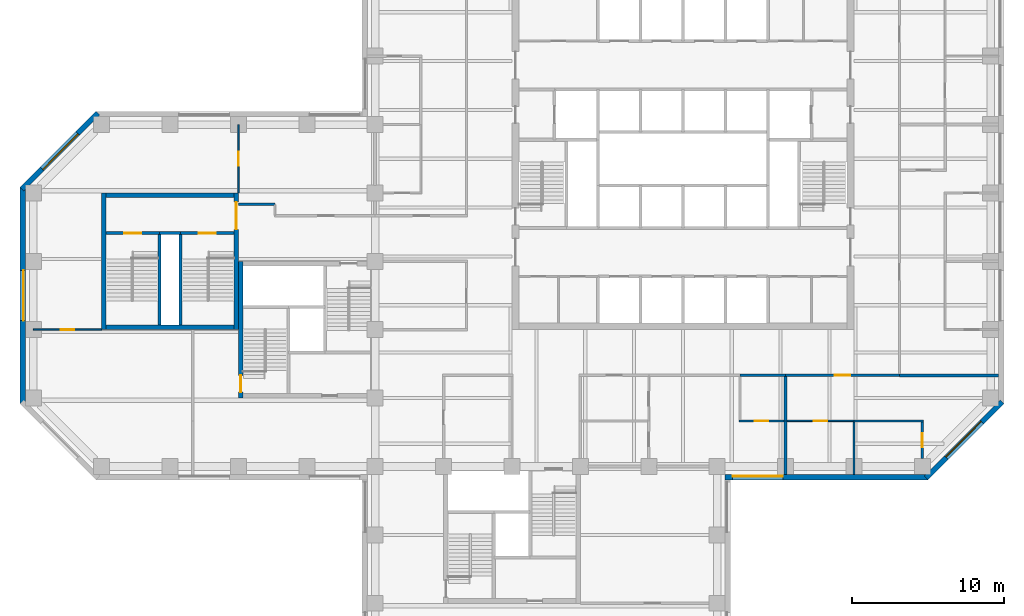
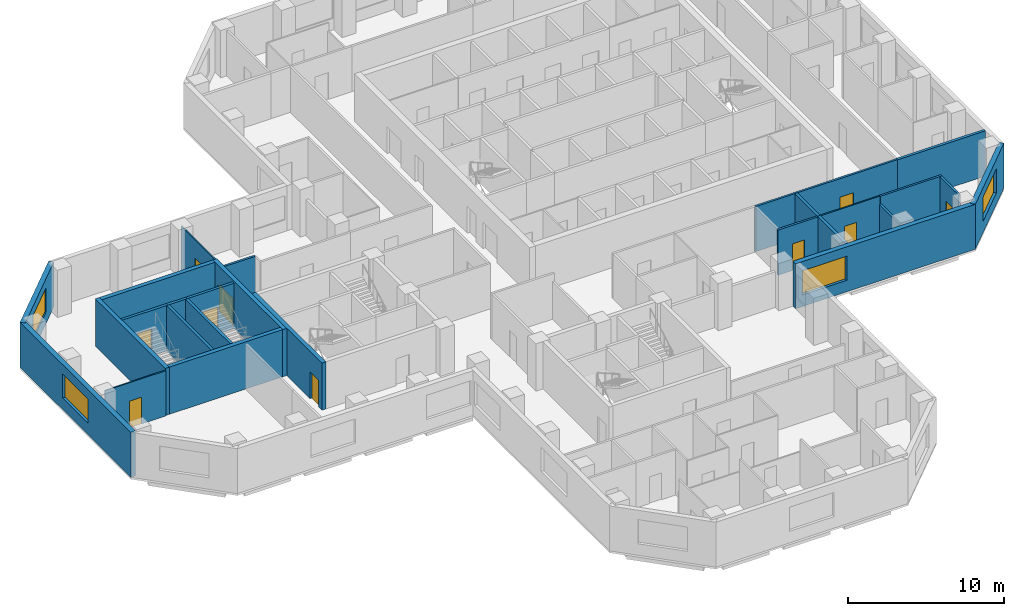
# One storey, part 5 of 11: 27 walls, 10 doors, 4 windows, 14 openings.
"""IFC4 building model written with IfcOpenShell, lengths in metres."""

from ifc_helpers import new_model, si_unit, direction, frame, frame_2d, origin, place, context, subcontext, project, spatial, rectangle, extrude, material, layer, layer_set, constituent, constituent_set, type_object, element, fill, save


model = new_model("IFC4")

# Units and contexts
model_context = context("Model", 3, precision=1e-05, world=origin(), true_north=direction((0.0, 1.0)))
body_context = subcontext(model_context, "Body", "Model", "MODEL_VIEW")
ifc_project = project(units=[si_unit("LENGTHUNIT", "METRE"), si_unit("AREAUNIT", "SQUARE_METRE"), si_unit("VOLUMEUNIT", "CUBIC_METRE"), si_unit("PLANEANGLEUNIT", "RADIAN"), si_unit("MASSUNIT", "GRAM", prefix="KILO")], contexts=[model_context])

# Site, building, storey
site_placement = place(None, origin())
site = spatial("IfcSite", under=ifc_project, at=site_placement, CompositionType="ELEMENT")
building_placement = place(site_placement, origin())
building = spatial("IfcBuilding", under=site, at=building_placement, Name="Quoin Convention Tower", CompositionType="ELEMENT")
storey_placement = place(building_placement, frame((0.0, 0.0, 134.39990234375)))
storey = spatial("IfcBuildingStorey", under=building, at=storey_placement, Name="L35", CompositionType="ELEMENT", Elevation=134.39990234375)

# Wall
ifc_material_1 = material(Name="Plasterboard")
ifc_layer_1 = layer(ifc_material_1, 0.012451171875, Name="Finish")
ifc_material_2 = material(Name="Steel stud framing", Category="steel")
ifc_layer_2 = layer(ifc_material_2, 0.125, Name="Structure")
ifc_layer_3 = layer(ifc_material_1, 0.012451171875, Name="Finish")
ifc_layer_set_1 = layer_set([ifc_layer_1, ifc_layer_2, ifc_layer_3], Name="Steel stud framing")
wall_type_1 = type_object("IfcWallType", Name="Acoustic partition 150", PredefinedType="PARTITIONING", material=ifc_layer_set_1)
wall_1_placement = place(storey_placement, frame((67.5, 43.5, 0.0), z_axis=(0.0, 0.0, 1.0), x_axis=(1.0, 0.0, 0.0)))
element("IfcWall", 1, at=wall_1_placement, inside=storey, type_object=wall_type_1, Name="pw-L35-022", PredefinedType="PARTITIONING", context=body_context, shape_type="SweptSolid", body=[
    extrude(rectangle(XDim=4.574951171875, YDim=0.14990234375, at=frame_2d((2.28759765625, 0.0))), origin(), (0.0, 0.0, 1.0), 3.550048828125),
])

# Wall, opening, door
wall_2_placement = place(storey_placement, frame((72.0, 41.02490234375, 0.0), z_axis=(0.0, 0.0, 1.0), x_axis=(0.0, 1.0, 0.0)))
wall_2 = element("IfcWall", 2, at=wall_2_placement, inside=storey, type_object=wall_type_1, Name="pw-L35-077", PredefinedType="PARTITIONING", context=body_context, shape_type="SweptSolid", body=[
    extrude(rectangle(XDim=2.400146484375, YDim=0.14990234375, at=frame_2d((1.2001953125, 0.0))), origin(), (0.0, 0.0, 1.0), 3.550048828125),
])
opening_1_placement = place(wall_2_placement, frame((0.75, 0.0, 0.0)))
opening_1 = element("IfcOpeningElement", 3, at=opening_1_placement, cuts=wall_2, Name="Opening DOL7-29", PredefinedType="OPENING", context=body_context, shape_type="SweptSolid", body=[
    extrude(rectangle(XDim=0.89990234375, YDim=2.10009765625, at=frame_2d((0.449951171875, 1.050048828125))), frame((0.0, 0.0849609375, 0.0), z_axis=(0.0, -1.0, 0.0), x_axis=(1.0, 0.0, 0.0)), (0.0, 0.0, 1.0), 0.169921875),
])
ifc_material_3 = material(Name="Steel door leaf", Category="steel")
door_type_1 = type_object("IfcDoorType", Name="Office door 900 x 2100", OperationType="SINGLE_SWING_RIGHT", PredefinedType="DOOR", material=ifc_material_3)
door_1_placement = place(opening_1_placement, frame((0.89990234375, 0.0, 0.0), z_axis=(0.0, 0.0, 1.0), x_axis=(-1.0, 0.0, 0.0)))
door_1 = element("IfcDoor", 4, at=door_1_placement, inside=storey, type_object=door_type_1, Name="dr-L35-24", OperationType="SINGLE_SWING_LEFT", OverallHeight=2.10009765625, OverallWidth=0.89990234375, PredefinedType="DOOR", context=body_context, shape_type="SweptSolid", body=[
    extrude(rectangle(XDim=0.89990234375, YDim=2.10009765625, at=frame_2d((0.449951171875, 1.050048828125))), frame((0.0, 0.02490234375, 0.0), z_axis=(0.0, -1.0, 0.0), x_axis=(1.0, 0.0, 0.0)), (0.0, 0.0, 1.0), 0.050048828125),
])
fill(opening_1, door_1)

# Wall
ifc_layer_4 = layer(ifc_material_1, 0.012451171875, Name="Finish")
ifc_layer_5 = layer(ifc_material_2, 0.125, Name="Structure")
ifc_layer_6 = layer(ifc_material_1, 0.012451171875, Name="Finish")
ifc_layer_set_2 = layer_set([ifc_layer_4, ifc_layer_5, ifc_layer_6], Name="Steel stud framing")
wall_type_2 = type_object("IfcWallType", Name="Acoustic partition 150 under beam 612", PredefinedType="PARTITIONING", material=ifc_layer_set_2)
wall_3_placement = place(storey_placement, frame((67.5, 39.97509765625, 0.0), z_axis=(0.0, 0.0, 1.0), x_axis=(0.0, 1.0, 0.0)))
element("IfcWall", 5, at=wall_3_placement, inside=storey, type_object=wall_type_2, Name="pw-L35-072", PredefinedType="PARTITIONING", context=body_context, shape_type="SweptSolid", body=[
    extrude(rectangle(XDim=3.449951171875, YDim=0.14990234375, at=frame_2d((1.72509765625, 0.0))), origin(), (0.0, 0.0, 1.0), 2.93798828125),
])

# Wall, opening, window
ifc_material_4 = material(Name="Brick masonry", Category="masonry")
ifc_layer_7 = layer(ifc_material_4, 0.35009765625)
ifc_layer_set_3 = layer_set([ifc_layer_7], Name="Brick masonry")
wall_type_3 = type_object("IfcWallType", Name="Brick facade wall", PredefinedType="STANDARD", material=ifc_layer_set_3)
wall_4_placement = place(storey_placement, frame((59.02490234375, 39.800048828125, 0.0), z_axis=(0.0, 0.0, 1.0), x_axis=(1.0, 0.0, 0.0)))
wall_4 = element("IfcWall", 6, at=wall_4_placement, inside=storey, type_object=wall_type_3, Name="fw-L35-58500_40500", PredefinedType="STANDARD", context=body_context, shape_type="SweptSolid", body=[
    extrude(rectangle(XDim=13.33740234375, YDim=0.35009765625, at=frame_2d((6.668701171875, 0.0))), origin(), (0.0, 0.0, 1.0), 3.525146484375),
])
opening_2_placement = place(wall_4_placement, frame((0.5, 0.0, 0.89990234375)))
opening_2 = element("IfcOpeningElement", 7, at=opening_2_placement, cuts=wall_4, Name="Opening W-02", PredefinedType="OPENING", context=body_context, shape_type="SweptSolid", body=[
    extrude(rectangle(XDim=3.300048828125, YDim=1.89990234375, at=frame_2d((1.64990234375, 0.949951171875))), frame((0.0, 0.18505859375, 0.0), z_axis=(0.0, -1.0, 0.0), x_axis=(1.0, 0.0, 0.0)), (0.0, 0.0, 1.0), 0.3701171875),
])
ifc_material_5 = material(Name="Aluminium", Category="aluminium")
ifc_constituent_1 = constituent(ifc_material_5, Name="Frame")
ifc_material_6 = material(Name="Insulated glass", Category="glass")
ifc_constituent_2 = constituent(ifc_material_6, Name="Glazing")
ifc_constituent_set = constituent_set(constituents=[ifc_constituent_1, ifc_constituent_2], Name="Aluminium")
window_type = type_object("IfcWindowType", Name="Office window", PartitioningType="DOUBLE_PANEL_VERTICAL", PredefinedType="WINDOW", material=ifc_constituent_set)
window_1_placement = place(opening_2_placement, origin())
window_1 = element("IfcWindow", 8, at=window_1_placement, inside=storey, type_object=window_type, Name="win-L35-60750_39800", OverallHeight=1.89990234375, OverallWidth=3.300048828125, PartitioningType="SINGLE_PANEL", PredefinedType="WINDOW", context=body_context, shape_type="SweptSolid", body=[
    extrude(rectangle(XDim=3.300048828125, YDim=1.89990234375, at=frame_2d((1.64990234375, 0.949951171875))), frame((0.0, 0.0849609375, 0.0), z_axis=(0.0, -1.0, 0.0), x_axis=(1.0, 0.0, 0.0)), (0.0, 0.0, 1.0), 0.06005859375),
])
fill(opening_2, window_1)

wall_5_placement = place(storey_placement, frame((72.23876953125, 39.748779296875, 0.0), z_axis=(0.0, 0.0, 1.0), x_axis=(0.707106781187, 0.707106781187, 0.0)))
wall_5 = element("IfcWall", 9, at=wall_5_placement, inside=storey, type_object=wall_type_3, Name="fw-L35-72000_40500", PredefinedType="STANDARD", context=body_context, shape_type="SweptSolid", body=[
    extrude(rectangle(XDim=7.088623046875, YDim=0.35009765625, at=frame_2d((3.54443359375, 0.0))), origin(), (0.0, 0.0, 1.0), 3.525146484375),
])
opening_3_placement = place(wall_5_placement, frame((1.894287109375, 0.0, 0.89990234375)))
opening_3 = element("IfcOpeningElement", 10, at=opening_3_placement, cuts=wall_5, Name="Opening W-02", PredefinedType="OPENING", context=body_context, shape_type="SweptSolid", body=[
    extrude(rectangle(XDim=3.300048828125, YDim=1.89990234375, at=frame_2d((1.64990234375, 0.949951171875))), frame((0.0, 0.18505859375, 0.0), z_axis=(0.0, -1.0, 0.0), x_axis=(1.0, 0.0, 0.0)), (0.0, 0.0, 1.0), 0.3701171875),
])
window_2_placement = place(opening_3_placement, origin())
window_2 = element("IfcWindow", 11, at=window_2_placement, inside=storey, type_object=window_type, Name="win-L35-74745_42255", OverallHeight=1.89990234375, OverallWidth=3.300048828125, PartitioningType="SINGLE_PANEL", PredefinedType="WINDOW", context=body_context, shape_type="SweptSolid", body=[
    extrude(rectangle(XDim=3.300048828125, YDim=1.89990234375, at=frame_2d((1.64990234375, 0.949951171875))), frame((0.0, 0.0849609375, 0.0), z_axis=(0.0, -1.0, 0.0), x_axis=(1.0, 0.0, 0.0)), (0.0, 0.0, 1.0), 0.06005859375),
])
fill(opening_3, window_2)

wall_6_placement = place(storey_placement, frame((17.76123046875, 63.751220703125, 0.0), z_axis=(0.0, 0.0, 1.0), x_axis=(-0.707106781187, -0.707106781187, 0.0)))
wall_6 = element("IfcWall", 12, at=wall_6_placement, inside=storey, type_object=wall_type_3, Name="fw-L35-18000_63000", PredefinedType="STANDARD", context=body_context, shape_type="SweptSolid", body=[
    extrude(rectangle(XDim=7.088623046875, YDim=0.35009765625, at=frame_2d((3.54443359375, 0.0))), origin(), (0.0, 0.0, 1.0), 3.525146484375),
])
opening_4_placement = place(wall_6_placement, frame((1.894287109375, 0.0, 0.89990234375)))
opening_4 = element("IfcOpeningElement", 13, at=opening_4_placement, cuts=wall_6, Name="Opening W-02", PredefinedType="OPENING", context=body_context, shape_type="SweptSolid", body=[
    extrude(rectangle(XDim=3.300048828125, YDim=1.89990234375, at=frame_2d((1.64990234375, 0.949951171875))), frame((0.0, 0.18505859375, 0.0), z_axis=(0.0, -1.0, 0.0), x_axis=(1.0, 0.0, 0.0)), (0.0, 0.0, 1.0), 0.3701171875),
])
window_3_placement = place(opening_4_placement, origin())
window_3 = element("IfcWindow", 14, at=window_3_placement, inside=storey, type_object=window_type, Name="win-L35-15255_61245", OverallHeight=1.89990234375, OverallWidth=3.300048828125, PartitioningType="SINGLE_PANEL", PredefinedType="WINDOW", context=body_context, shape_type="SweptSolid", body=[
    extrude(rectangle(XDim=3.300048828125, YDim=1.89990234375, at=frame_2d((1.64990234375, 0.949951171875))), frame((0.0, 0.0849609375, 0.0), z_axis=(0.0, -1.0, 0.0), x_axis=(1.0, 0.0, 0.0)), (0.0, 0.0, 1.0), 0.06005859375),
])
fill(opening_4, window_3)

wall_7_placement = place(storey_placement, frame((12.800048828125, 58.8623046875, 0.0), z_axis=(0.0, 0.0, 1.0), x_axis=(0.0, -1.0, 0.0)))
wall_7 = element("IfcWall", 15, at=wall_7_placement, inside=storey, type_object=wall_type_3, Name="fw-L35-13500_58500", PredefinedType="STANDARD", context=body_context, shape_type="SweptSolid", body=[
    extrude(rectangle(XDim=14.224609375, YDim=0.35009765625, at=frame_2d((7.1123046875, 0.0))), origin(), (0.0, 0.0, 1.0), 3.525146484375),
])
opening_5_placement = place(wall_7_placement, frame((5.46240234375, 0.0, 0.89990234375)))
opening_5 = element("IfcOpeningElement", 16, at=opening_5_placement, cuts=wall_7, Name="Opening W-02", PredefinedType="OPENING", context=body_context, shape_type="SweptSolid", body=[
    extrude(rectangle(XDim=3.300048828125, YDim=1.89990234375, at=frame_2d((1.64990234375, 0.949951171875))), frame((0.0, 0.18505859375, 0.0), z_axis=(0.0, -1.0, 0.0), x_axis=(1.0, 0.0, 0.0)), (0.0, 0.0, 1.0), 0.3701171875),
])
window_4_placement = place(opening_5_placement, origin())
window_4 = element("IfcWindow", 17, at=window_4_placement, inside=storey, type_object=window_type, Name="win-L35-12800_51750", OverallHeight=1.89990234375, OverallWidth=3.300048828125, PartitioningType="SINGLE_PANEL", PredefinedType="WINDOW", context=body_context, shape_type="SweptSolid", body=[
    extrude(rectangle(XDim=3.300048828125, YDim=1.89990234375, at=frame_2d((1.64990234375, 0.949951171875))), frame((0.0, 0.0849609375, 0.0), z_axis=(0.0, -1.0, 0.0), x_axis=(1.0, 0.0, 0.0)), (0.0, 0.0, 1.0), 0.06005859375),
])
fill(opening_5, window_4)

# Wall
ifc_material_7 = material(Name="Concrete C50", Category="concrete")
ifc_layer_8 = layer(ifc_material_7, 0.199951171875)
ifc_layer_set_4 = layer_set([ifc_layer_8], Name="Concrete C50")
wall_type_4 = type_object("IfcWallType", Name="Core shaft wall", PredefinedType="SOLIDWALL", material=ifc_layer_set_4)
wall_8_placement = place(storey_placement, frame((21.800048828125, 55.85009765625, 0.0), z_axis=(0.0, 0.0, 1.0), x_axis=(1.0, 0.0, 0.0)))
element("IfcWall", 18, at=wall_8_placement, inside=storey, type_object=wall_type_4, Name="cr-P6-L35-h6350_3800", PredefinedType="SOLIDWALL", context=body_context, shape_type="SweptSolid", body=[
    extrude(rectangle(XDim=1.39990234375, YDim=0.199951171875, at=frame_2d((0.699951171875, 0.0))), origin(), (0.0, 0.0, 1.0), 3.550048828125),
])

# Wall, opening, door
wall_9_placement = place(storey_placement, frame((18.300048828125, 55.85009765625, 0.0), z_axis=(0.0, 0.0, 1.0), x_axis=(1.0, 0.0, 0.0)))
wall_9 = element("IfcWall", 19, at=wall_9_placement, inside=storey, type_object=wall_type_4, Name="cr-P6-L35-h6350_300", PredefinedType="SOLIDWALL", context=body_context, shape_type="SweptSolid", body=[
    extrude(rectangle(XDim=3.5, YDim=0.199951171875, at=frame_2d((1.75, 0.0))), origin(), (0.0, 0.0, 1.0), 3.550048828125),
])
opening_6_placement = place(wall_9_placement, frame((1.199951171875, 0.0, 0.0)))
opening_6 = element("IfcOpeningElement", 20, at=opening_6_placement, cuts=wall_9, Name="Opening SD11", PredefinedType="OPENING", context=body_context, shape_type="SweptSolid", body=[
    extrude(rectangle(XDim=1.10009765625, YDim=2.10009765625, at=frame_2d((0.550048828125, 1.050048828125))), frame((0.0, 0.10986328125, 0.0), z_axis=(0.0, -1.0, 0.0), x_axis=(1.0, 0.0, 0.0)), (0.0, 0.0, 1.0), 0.219970703125),
])
door_type_2 = type_object("IfcDoorType", Name="Stair door 1100 x 2100", OperationType="SINGLE_SWING_RIGHT", PredefinedType="DOOR", material=ifc_material_3)
door_2_placement = place(opening_6_placement, origin())
door_2 = element("IfcDoor", 21, at=door_2_placement, inside=storey, type_object=door_type_2, Name="cd-P6-L35-SA-R2-SD11", OperationType="SINGLE_SWING_RIGHT", OverallHeight=2.10009765625, OverallWidth=1.10009765625, PredefinedType="DOOR", context=body_context, shape_type="SweptSolid", body=[
    extrude(rectangle(XDim=1.10009765625, YDim=2.10009765625, at=frame_2d((0.550048828125, 1.050048828125))), frame((0.0, 0.02490234375, 0.0), z_axis=(0.0, -1.0, 0.0), x_axis=(1.0, 0.0, 0.0)), (0.0, 0.0, 1.0), 0.050048828125),
])
fill(opening_6, door_2)

wall_10_placement = place(storey_placement, frame((23.199951171875, 55.85009765625, 0.0), z_axis=(0.0, 0.0, 1.0), x_axis=(1.0, 0.0, 0.0)))
wall_10 = element("IfcWall", 22, at=wall_10_placement, inside=storey, type_object=wall_type_4, Name="cr-P6-L35-h6350_5200", PredefinedType="SOLIDWALL", context=body_context, shape_type="SweptSolid", body=[
    extrude(rectangle(XDim=3.5, YDim=0.199951171875, at=frame_2d((1.75, 0.0))), origin(), (0.0, 0.0, 1.0), 3.550048828125),
])
opening_7_placement = place(wall_10_placement, frame((1.199951171875, 0.0, 0.0)))
opening_7 = element("IfcOpeningElement", 23, at=opening_7_placement, cuts=wall_10, Name="Opening SD12", PredefinedType="OPENING", context=body_context, shape_type="SweptSolid", body=[
    extrude(rectangle(XDim=1.10009765625, YDim=2.10009765625, at=frame_2d((0.550048828125, 1.050048828125))), frame((0.0, 0.10986328125, 0.0), z_axis=(0.0, -1.0, 0.0), x_axis=(1.0, 0.0, 0.0)), (0.0, 0.0, 1.0), 0.219970703125),
])
door_3_placement = place(opening_7_placement, origin())
door_3 = element("IfcDoor", 24, at=door_3_placement, inside=storey, type_object=door_type_2, Name="cd-P6-L35-SB-R2-SD12", OperationType="SINGLE_SWING_RIGHT", OverallHeight=2.10009765625, OverallWidth=1.10009765625, PredefinedType="DOOR", context=body_context, shape_type="SweptSolid", body=[
    extrude(rectangle(XDim=1.10009765625, YDim=2.10009765625, at=frame_2d((0.550048828125, 1.050048828125))), frame((0.0, 0.02490234375, 0.0), z_axis=(0.0, -1.0, 0.0), x_axis=(1.0, 0.0, 0.0)), (0.0, 0.0, 1.0), 0.050048828125),
])
fill(opening_7, door_3)

# Walls
for number, where, z_axis, x_axis, name in (
    (25, (21.800048828125, 49.800048828125, 0.0), (0.0, 0.0, 1.0), (0.0, 1.0, 0.0), "cr-P6-L35-v3800_300"),
    (26, (23.199951171875, 49.800048828125, 0.0), (0.0, 0.0, 1.0), (0.0, 1.0, 0.0), "cr-P6-L35-v5200_300"),
):
    element("IfcWall", number, at=place(storey_placement, frame(where, z_axis=z_axis, x_axis=x_axis)), inside=storey, type_object=wall_type_4, Name=name, PredefinedType="SOLIDWALL", context=body_context, shape_type="SweptSolid", body=[
        extrude(rectangle(XDim=6.050048828125, YDim=0.199951171875, at=frame_2d((3.02490234375, 0.0))), origin(), (0.0, 0.0, 1.0), 3.550048828125),
    ])
ifc_layer_9 = layer(ifc_material_1, 0.012451171875, Name="Finish")
ifc_layer_10 = layer(ifc_material_2, 0.125, Name="Structure")
ifc_layer_11 = layer(ifc_material_1, 0.012451171875, Name="Finish")
ifc_layer_set_5 = layer_set([ifc_layer_9, ifc_layer_10, ifc_layer_11], Name="Steel stud framing")
wall_type_5 = type_object("IfcWallType", Name="Corridor wall 150", PredefinedType="PARTITIONING", material=ifc_layer_set_5)
wall_11_placement = place(storey_placement, frame((60.0, 46.5, 0.0), z_axis=(0.0, 0.0, 1.0), x_axis=(1.0, 0.0, 0.0)))
element("IfcWall", 27, at=wall_11_placement, inside=storey, type_object=wall_type_5, Name="pw-L35-026", PredefinedType="PARTITIONING", context=body_context, shape_type="SweptSolid", body=[
    extrude(rectangle(XDim=3.0, YDim=0.14990234375, at=frame_2d((1.5, 0.0))), origin(), (0.0, 0.0, 1.0), 3.550048828125),
])

# Wall, opening, door
wall_12_placement = place(storey_placement, frame((63.0, 46.5, 0.0), z_axis=(0.0, 0.0, 1.0), x_axis=(1.0, 0.0, 0.0)))
wall_12 = element("IfcWall", 28, at=wall_12_placement, inside=storey, type_object=wall_type_5, Name="pw-L35-027", PredefinedType="PARTITIONING", context=body_context, shape_type="SweptSolid", body=[
    extrude(rectangle(XDim=7.5, YDim=0.14990234375, at=frame_2d((3.75, 0.0))), origin(), (0.0, 0.0, 1.0), 3.550048828125),
])
opening_8_placement = place(wall_12_placement, frame((3.25, 0.0, 0.0)))
opening_8 = element("IfcOpeningElement", 29, at=opening_8_placement, cuts=wall_12, Name="Opening DOL7-12", PredefinedType="OPENING", context=body_context, shape_type="SweptSolid", body=[
    extrude(rectangle(XDim=1.0, YDim=2.10009765625, at=frame_2d((0.5, 1.050048828125))), frame((0.0, 0.0849609375, 0.0), z_axis=(0.0, -1.0, 0.0), x_axis=(1.0, 0.0, 0.0)), (0.0, 0.0, 1.0), 0.169921875),
])
door_type_3 = type_object("IfcDoorType", Name="Tenancy entrance door 1000 x 2100", OperationType="DOUBLE_DOOR_SINGLE_SWING", PredefinedType="DOOR", material=ifc_material_3)
door_4_placement = place(opening_8_placement, frame((1.0, 0.0, 0.0), z_axis=(0.0, 0.0, 1.0), x_axis=(-1.0, 0.0, 0.0)))
door_4 = element("IfcDoor", 30, at=door_4_placement, inside=storey, type_object=door_type_3, Name="dr-L35-22", OperationType="DOUBLE_DOOR_SINGLE_SWING", OverallHeight=2.10009765625, OverallWidth=1.0, PredefinedType="DOOR", context=body_context, shape_type="SweptSolid", body=[
    extrude(rectangle(XDim=1.0, YDim=2.10009765625, at=frame_2d((0.5, 1.050048828125))), frame((0.0, 0.02490234375, 0.0), z_axis=(0.0, -1.0, 0.0), x_axis=(1.0, 0.0, 0.0)), (0.0, 0.0, 1.0), 0.050048828125),
])
fill(opening_8, door_4)

# Wall
wall_13_placement = place(storey_placement, frame((27.0, 57.75, 0.0), z_axis=(0.0, 0.0, 1.0), x_axis=(1.0, 0.0, 0.0)))
element("IfcWall", 31, at=wall_13_placement, inside=storey, type_object=wall_type_5, Name="pw-L35-w03", PredefinedType="PARTITIONING", context=body_context, shape_type="SweptSolid", body=[
    extrude(rectangle(XDim=2.39990234375, YDim=0.14990234375, at=frame_2d((1.199951171875, 0.0))), origin(), (0.0, 0.0, 1.0), 3.550048828125),
])

# Wall, opening, door
ifc_material_8 = material(Name="Concrete C65", Category="concrete")
ifc_layer_12 = layer(ifc_material_8, 0.300048828125)
ifc_layer_set_6 = layer_set([ifc_layer_12], Name="Concrete C65")
wall_type_6 = type_object("IfcWallType", Name="RC CORE WALL 300 C65", PredefinedType="SHEAR", material=ifc_layer_set_6)
wall_14_placement = place(storey_placement, frame((27.14990234375, 45.0, 0.0), z_axis=(0.0, 0.0, 1.0), x_axis=(0.0, 1.0, 0.0)))
wall_14 = element("IfcWall", 32, at=wall_14_placement, inside=storey, type_object=wall_type_6, Name="cwl-P2-L35-W", PredefinedType="SHEAR", context=body_context, shape_type="SweptSolid", body=[
    extrude(rectangle(XDim=9.0, YDim=0.300048828125, at=frame_2d((4.5, 0.0))), origin(), (0.0, 0.0, 1.0), 3.7001953125),
])
opening_9_placement = place(wall_14_placement, frame((0.39990234375, 0.0, 0.0)))
opening_9 = element("IfcOpeningElement", 33, at=opening_9_placement, cuts=wall_14, Name="Opening SD3", PredefinedType="OPENING", context=body_context, shape_type="SweptSolid", body=[
    extrude(rectangle(XDim=1.10009765625, YDim=2.10009765625, at=frame_2d((0.550048828125, 1.050048828125))), frame((0.0, 0.159912109375, 0.0), z_axis=(0.0, -1.0, 0.0), x_axis=(1.0, 0.0, 0.0)), (0.0, 0.0, 1.0), 0.320068359375),
])
door_5_placement = place(opening_9_placement, frame((1.10009765625, 0.0, 0.0), z_axis=(0.0, 0.0, 1.0), x_axis=(-1.0, 0.0, 0.0)))
door_5 = element("IfcDoor", 34, at=door_5_placement, inside=storey, type_object=door_type_2, Name="cd-P2-L35-SA-W", OperationType="SINGLE_SWING_RIGHT", OverallHeight=2.10009765625, OverallWidth=1.10009765625, PredefinedType="DOOR", context=body_context, shape_type="SweptSolid", body=[
    extrude(rectangle(XDim=1.10009765625, YDim=2.10009765625, at=frame_2d((0.550048828125, 1.050048828125))), frame((0.0, 0.02490234375, 0.0), z_axis=(0.0, -1.0, 0.0), x_axis=(1.0, 0.0, 0.0)), (0.0, 0.0, 1.0), 0.050048828125),
])
fill(opening_9, door_5)

# Walls
for number, where, z_axis, x_axis, name in (
    (35, (18.300048828125, 49.64990234375, 0.0), (0.0, 0.0, 1.0), (1.0, 0.0, 0.0), "cwl-P6-L35-S"),
    (36, (18.300048828125, 58.35009765625, 0.0), (0.0, 0.0, 1.0), (1.0, 0.0, 0.0), "cwl-P6-L35-N"),
):
    element("IfcWall", number, at=place(storey_placement, frame(where, z_axis=z_axis, x_axis=x_axis)), inside=storey, type_object=wall_type_6, Name=name, PredefinedType="SHEAR", context=body_context, shape_type="SweptSolid", body=[
        extrude(rectangle(XDim=8.39990234375, YDim=0.300048828125, at=frame_2d((4.199951171875, 0.0))), origin(), (0.0, 0.0, 1.0), 3.7001953125),
    ])
wall_15_placement = place(storey_placement, frame((18.14990234375, 49.5, 0.0), z_axis=(0.0, 0.0, 1.0), x_axis=(0.0, 1.0, 0.0)))
element("IfcWall", 37, at=wall_15_placement, inside=storey, type_object=wall_type_6, Name="cwl-P6-L35-W", PredefinedType="SHEAR", context=body_context, shape_type="SweptSolid", body=[
    extrude(rectangle(XDim=9.0, YDim=0.300048828125, at=frame_2d((4.5, 0.0))), origin(), (0.0, 0.0, 1.0), 3.7001953125),
])

# Wall, opening, door
wall_16_placement = place(storey_placement, frame((26.85009765625, 49.5, 0.0), z_axis=(0.0, 0.0, 1.0), x_axis=(0.0, 1.0, 0.0)))
wall_16 = element("IfcWall", 38, at=wall_16_placement, inside=storey, type_object=wall_type_6, Name="cwl-P6-L35-E", PredefinedType="SHEAR", context=body_context, shape_type="SweptSolid", body=[
    extrude(rectangle(XDim=9.0, YDim=0.300048828125, at=frame_2d((4.5, 0.0))), origin(), (0.0, 0.0, 1.0), 3.7001953125),
])
opening_10_placement = place(wall_16_placement, frame((6.60009765625, 0.0, 0.0)))
opening_10 = element("IfcOpeningElement", 39, at=opening_10_placement, cuts=wall_16, Name="Opening DCV0-64", PredefinedType="OPENING", context=body_context, shape_type="SweptSolid", body=[
    extrude(rectangle(XDim=1.800048828125, YDim=2.10009765625, at=frame_2d((0.89990234375, 1.050048828125))), frame((0.0, 0.159912109375, 0.0), z_axis=(0.0, -1.0, 0.0), x_axis=(1.0, 0.0, 0.0)), (0.0, 0.0, 1.0), 0.320068359375),
])
door_type_4 = type_object("IfcDoorType", Name="Goods lobby door 1800 x 2100", OperationType="SINGLE_SWING_LEFT", PredefinedType="DOOR", material=ifc_material_3)
door_6_placement = place(opening_10_placement, origin())
door_6 = element("IfcDoor", 40, at=door_6_placement, inside=storey, type_object=door_type_4, Name="cd-P6-L35-R2-E", OperationType="SINGLE_SWING_LEFT", OverallHeight=2.10009765625, OverallWidth=1.800048828125, PredefinedType="DOOR", context=body_context, shape_type="SweptSolid", body=[
    extrude(rectangle(XDim=1.800048828125, YDim=2.10009765625, at=frame_2d((0.89990234375, 1.050048828125))), frame((0.0, 0.02490234375, 0.0), z_axis=(0.0, -1.0, 0.0), x_axis=(1.0, 0.0, 0.0)), (0.0, 0.0, 1.0), 0.050048828125),
])
fill(opening_10, door_6)

ifc_layer_13 = layer(ifc_material_1, 0.012451171875, Name="Finish")
ifc_layer_14 = layer(ifc_material_2, 0.074951171875, Name="Structure")
ifc_layer_15 = layer(ifc_material_1, 0.012451171875, Name="Finish")
ifc_layer_set_7 = layer_set([ifc_layer_13, ifc_layer_14, ifc_layer_15], Name="Steel stud framing")
wall_type_7 = type_object("IfcWallType", Name="Stud partition 100", PredefinedType="PARTITIONING", material=ifc_layer_set_7)
wall_17_placement = place(storey_placement, frame((63.10009765625, 43.5, 0.0), z_axis=(0.0, 0.0, 1.0), x_axis=(1.0, 0.0, 0.0)))
wall_17 = element("IfcWall", 41, at=wall_17_placement, inside=storey, type_object=wall_type_7, Name="pw-L35-021", PredefinedType="PARTITIONING", context=body_context, shape_type="SweptSolid", body=[
    extrude(rectangle(XDim=4.39990234375, YDim=0.10009765625, at=frame_2d((2.199951171875, 0.0))), origin(), (0.0, 0.0, 1.0), 3.550048828125),
])
opening_11_placement = place(wall_17_placement, frame((1.75, 0.0, 0.0)))
opening_11 = element("IfcOpeningElement", 42, at=opening_11_placement, cuts=wall_17, Name="Opening DOL7-10", PredefinedType="OPENING", context=body_context, shape_type="SweptSolid", body=[
    extrude(rectangle(XDim=0.89990234375, YDim=2.10009765625, at=frame_2d((0.449951171875, 1.050048828125))), frame((0.0, 0.06005859375, 0.0), z_axis=(0.0, -1.0, 0.0), x_axis=(1.0, 0.0, 0.0)), (0.0, 0.0, 1.0), 0.1201171875),
])
door_7_placement = place(opening_11_placement, origin())
door_7 = element("IfcDoor", 43, at=door_7_placement, inside=storey, type_object=door_type_1, Name="dr-L35-23", OperationType="SINGLE_SWING_RIGHT", OverallHeight=2.10009765625, OverallWidth=0.89990234375, PredefinedType="DOOR", context=body_context, shape_type="SweptSolid", body=[
    extrude(rectangle(XDim=0.89990234375, YDim=2.10009765625, at=frame_2d((0.449951171875, 1.050048828125))), frame((0.0, 0.02490234375, 0.0), z_axis=(0.0, -1.0, 0.0), x_axis=(1.0, 0.0, 0.0)), (0.0, 0.0, 1.0), 0.050048828125),
])
fill(opening_11, door_7)

wall_18_placement = place(storey_placement, frame((27.0, 63.0, 0.0), z_axis=(0.0, 0.0, 1.0), x_axis=(0.0, -1.0, 0.0)))
wall_18 = element("IfcWall", 44, at=wall_18_placement, inside=storey, type_object=wall_type_7, Name="pw-L35-w01", PredefinedType="PARTITIONING", context=body_context, shape_type="SweptSolid", body=[
    extrude(rectangle(XDim=4.5, YDim=0.10009765625, at=frame_2d((2.25, 0.0))), origin(), (0.0, 0.0, 1.0), 3.550048828125),
])
opening_12_placement = place(wall_18_placement, frame((1.800048828125, 0.0, 0.0)))
opening_12 = element("IfcOpeningElement", 45, at=opening_12_placement, cuts=wall_18, Name="Opening DOL7-37", PredefinedType="OPENING", context=body_context, shape_type="SweptSolid", body=[
    extrude(rectangle(XDim=0.89990234375, YDim=2.10009765625, at=frame_2d((0.449951171875, 1.050048828125))), frame((0.0, 0.06005859375, 0.0), z_axis=(0.0, -1.0, 0.0), x_axis=(1.0, 0.0, 0.0)), (0.0, 0.0, 1.0), 0.1201171875),
])
door_8_placement = place(opening_12_placement, frame((0.89990234375, 0.0, 0.0), z_axis=(0.0, 0.0, 1.0), x_axis=(-1.0, 0.0, 0.0)))
door_8 = element("IfcDoor", 46, at=door_8_placement, inside=storey, type_object=door_type_1, Name="dr-L35-w02", OperationType="SINGLE_SWING_RIGHT", OverallHeight=2.10009765625, OverallWidth=0.89990234375, PredefinedType="DOOR", context=body_context, shape_type="SweptSolid", body=[
    extrude(rectangle(XDim=0.89990234375, YDim=2.10009765625, at=frame_2d((0.449951171875, 1.050048828125))), frame((0.0, 0.02490234375, 0.0), z_axis=(0.0, -1.0, 0.0), x_axis=(1.0, 0.0, 0.0)), (0.0, 0.0, 1.0), 0.050048828125),
])
fill(opening_12, door_8)

wall_19_placement = place(storey_placement, frame((13.5, 49.5, 0.0), z_axis=(0.0, 0.0, 1.0), x_axis=(1.0, 0.0, 0.0)))
wall_19 = element("IfcWall", 47, at=wall_19_placement, inside=storey, type_object=wall_type_7, Name="pw-L35-w02", PredefinedType="PARTITIONING", context=body_context, shape_type="SweptSolid", body=[
    extrude(rectangle(XDim=4.5, YDim=0.10009765625, at=frame_2d((2.25, 0.0))), origin(), (0.0, 0.0, 1.0), 3.550048828125),
])
opening_13_placement = place(wall_19_placement, frame((1.800048828125, 0.0, 0.0)))
opening_13 = element("IfcOpeningElement", 48, at=opening_13_placement, cuts=wall_19, Name="Opening DOL7-38", PredefinedType="OPENING", context=body_context, shape_type="SweptSolid", body=[
    extrude(rectangle(XDim=0.89990234375, YDim=2.10009765625, at=frame_2d((0.449951171875, 1.050048828125))), frame((0.0, 0.06005859375, 0.0), z_axis=(0.0, -1.0, 0.0), x_axis=(1.0, 0.0, 0.0)), (0.0, 0.0, 1.0), 0.1201171875),
])
door_9_placement = place(opening_13_placement, origin())
door_9 = element("IfcDoor", 49, at=door_9_placement, inside=storey, type_object=door_type_1, Name="dr-L35-w03", OperationType="SINGLE_SWING_RIGHT", OverallHeight=2.10009765625, OverallWidth=0.89990234375, PredefinedType="DOOR", context=body_context, shape_type="SweptSolid", body=[
    extrude(rectangle(XDim=0.89990234375, YDim=2.10009765625, at=frame_2d((0.449951171875, 1.050048828125))), frame((0.0, 0.02490234375, 0.0), z_axis=(0.0, -1.0, 0.0), x_axis=(1.0, 0.0, 0.0)), (0.0, 0.0, 1.0), 0.050048828125),
])
fill(opening_13, door_9)

# Walls
ifc_layer_16 = layer(ifc_material_1, 0.012451171875, Name="Finish")
ifc_layer_17 = layer(ifc_material_2, 0.175048828125, Name="Structure")
ifc_layer_18 = layer(ifc_material_1, 0.012451171875, Name="Finish")
ifc_layer_set_8 = layer_set([ifc_layer_16, ifc_layer_17, ifc_layer_18], Name="Steel stud framing")
wall_type_8 = type_object("IfcWallType", Name="Tenancy demising wall 200", PredefinedType="PARTITIONING", material=ifc_layer_set_8)
wall_20_placement = place(storey_placement, frame((70.5, 46.5, 0.0), z_axis=(0.0, 0.0, 1.0), x_axis=(1.0, 0.0, 0.0)))
element("IfcWall", 50, at=wall_20_placement, inside=storey, type_object=wall_type_8, Name="pw-L35-028", PredefinedType="PARTITIONING", context=body_context, shape_type="SweptSolid", body=[
    extrude(rectangle(XDim=6.52490234375, YDim=0.199951171875, at=frame_2d((3.262451171875, 0.0))), origin(), (0.0, 0.0, 1.0), 3.550048828125),
])
wall_21_placement = place(storey_placement, frame((63.0, 39.97509765625, 0.0), z_axis=(0.0, 0.0, 1.0), x_axis=(0.0, 1.0, 0.0)))
element("IfcWall", 51, at=wall_21_placement, inside=storey, type_object=wall_type_8, Name="pw-L35-071", PredefinedType="PARTITIONING", context=body_context, shape_type="SweptSolid", body=[
    extrude(rectangle(XDim=3.52490234375, YDim=0.199951171875, at=frame_2d((1.762451171875, 0.0))), origin(), (0.0, 0.0, 1.0), 3.550048828125),
])
wall_22_placement = place(storey_placement, frame((63.0, 43.5, 0.0), z_axis=(0.0, 0.0, 1.0), x_axis=(0.0, 1.0, 0.0)))
element("IfcWall", 52, at=wall_22_placement, inside=storey, type_object=wall_type_8, Name="pw-L35-081", PredefinedType="PARTITIONING", context=body_context, shape_type="SweptSolid", body=[
    extrude(rectangle(XDim=2.925048828125, YDim=0.199951171875, at=frame_2d((1.46240234375, 0.0))), origin(), (0.0, 0.0, 1.0), 3.550048828125),
])

# Wall, opening, door
ifc_layer_19 = layer(ifc_material_1, 0.012451171875, Name="Finish")
ifc_layer_20 = layer(ifc_material_2, 0.125, Name="Structure")
ifc_layer_21 = layer(ifc_material_1, 0.012451171875, Name="Finish")
ifc_layer_set_9 = layer_set([ifc_layer_19, ifc_layer_20, ifc_layer_21], Name="Steel stud framing")
wall_type_9 = type_object("IfcWallType", Name="Wet area partition 150", PredefinedType="PARTITIONING", material=ifc_layer_set_9)
wall_23_placement = place(storey_placement, frame((59.925048828125, 43.5, 0.0), z_axis=(0.0, 0.0, 1.0), x_axis=(1.0, 0.0, 0.0)))
wall_23 = element("IfcWall", 53, at=wall_23_placement, inside=storey, type_object=wall_type_9, Name="pw-L35-020", PredefinedType="PARTITIONING", context=body_context, shape_type="SweptSolid", body=[
    extrude(rectangle(XDim=2.974853515625, YDim=0.14990234375, at=frame_2d((1.4873046875, 0.0))), origin(), (0.0, 0.0, 1.0), 3.550048828125),
])
opening_14_placement = place(wall_23_placement, frame((1.050048828125, 0.0, 0.0)))
opening_14 = element("IfcOpeningElement", 54, at=opening_14_placement, cuts=wall_23, Name="Opening DOL7-09", PredefinedType="OPENING", context=body_context, shape_type="SweptSolid", body=[
    extrude(rectangle(XDim=0.89990234375, YDim=2.10009765625, at=frame_2d((0.449951171875, 1.050048828125))), frame((0.0, 0.0849609375, 0.0), z_axis=(0.0, -1.0, 0.0), x_axis=(1.0, 0.0, 0.0)), (0.0, 0.0, 1.0), 0.169921875),
])
door_10_placement = place(opening_14_placement, frame((0.89990234375, 0.0, 0.0), z_axis=(0.0, 0.0, 1.0), x_axis=(-1.0, 0.0, 0.0)))
door_10 = element("IfcDoor", 55, at=door_10_placement, inside=storey, type_object=door_type_1, Name="dr-L35-20", OperationType="SINGLE_SWING_LEFT", OverallHeight=2.10009765625, OverallWidth=0.89990234375, PredefinedType="DOOR", context=body_context, shape_type="SweptSolid", body=[
    extrude(rectangle(XDim=0.89990234375, YDim=2.10009765625, at=frame_2d((0.449951171875, 1.050048828125))), frame((0.0, 0.02490234375, 0.0), z_axis=(0.0, -1.0, 0.0), x_axis=(1.0, 0.0, 0.0)), (0.0, 0.0, 1.0), 0.050048828125),
])
fill(opening_14, door_10)

save(model, "model.ifc")
